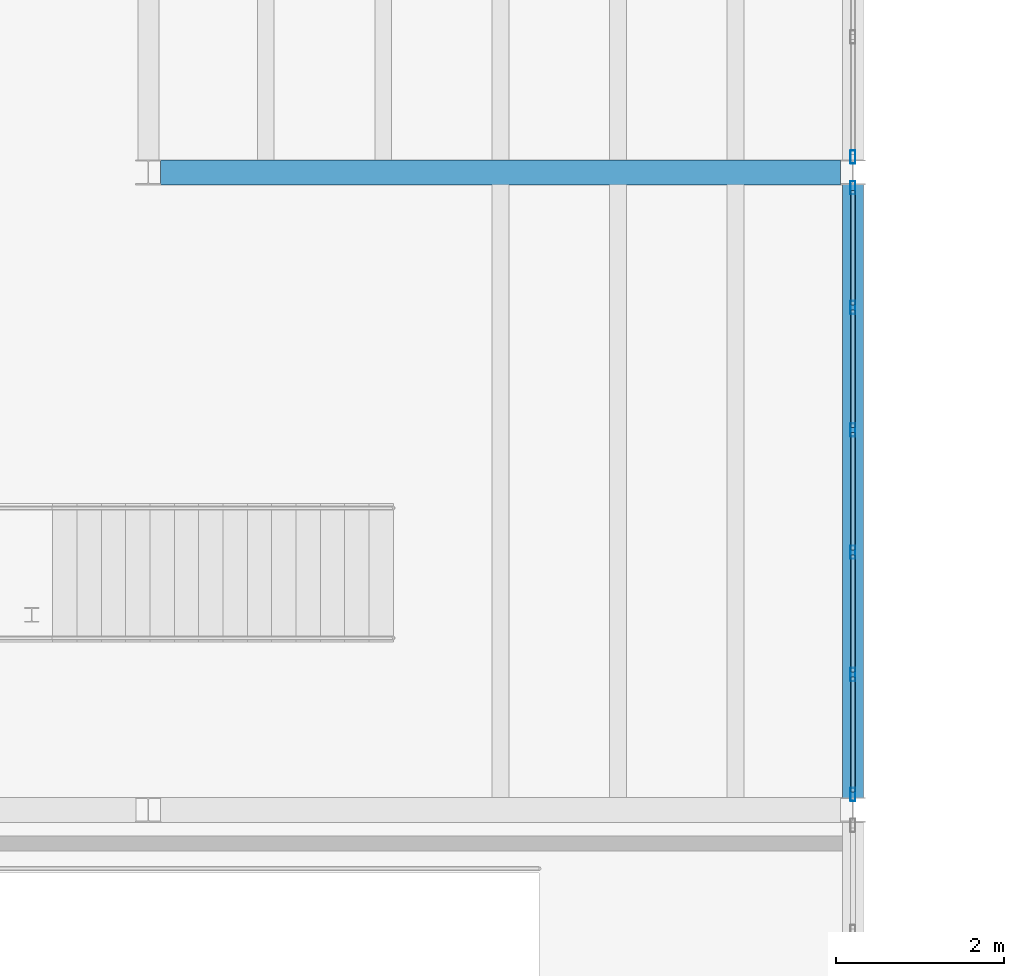
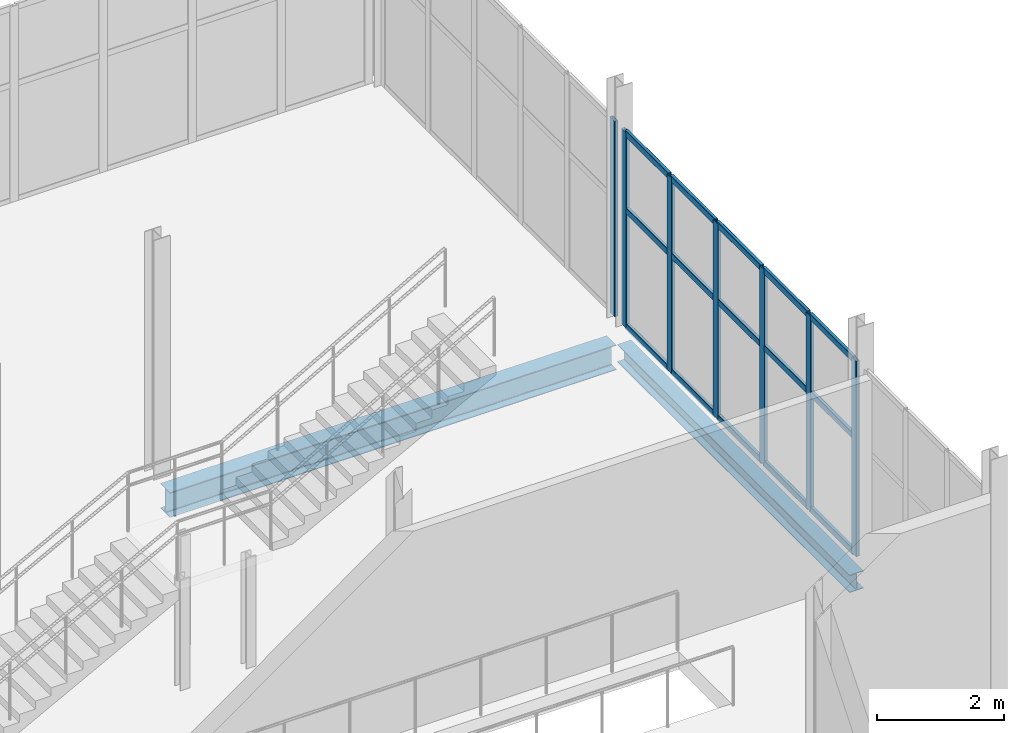
# One storey, part 27 of 172: 22 members, 2 beams, 2 elements without a shape of their own.
"""IFC4 building model written with IfcOpenShell, lengths in metres."""

from ifc_helpers import new_model, si_unit, direction, frame, origin, origin_2d, place, context, subcontext, project, spatial, hollow_rectangle, i_section, extrude, material, material_profile, profile_set, type_object, element, aggregate, save


model = new_model("IFC4")

# Units and contexts
model_context = context("Model", 3, precision=1e-05, world=origin(), true_north=direction((0.0, 1.0)))
body_context = subcontext(model_context, "Body", "Model", "MODEL_VIEW")
ifc_project = project(units=[si_unit("LENGTHUNIT", "METRE"), si_unit("AREAUNIT", "SQUARE_METRE"), si_unit("VOLUMEUNIT", "CUBIC_METRE"), si_unit("PLANEANGLEUNIT", "RADIAN"), si_unit("MASSUNIT", "GRAM", prefix="KILO")], contexts=[model_context])

# Site, building, storey
site_placement = place(None, origin())
site = spatial("IfcSite", under=ifc_project, at=site_placement, CompositionType="ELEMENT")
building_placement = place(site_placement, origin())
building = spatial("IfcBuilding", under=site, at=building_placement, Name="Shengluoqiao Park Theatre", CompositionType="ELEMENT")
storey_placement = place(building_placement, frame((0.0, 0.0, 5.39990234375)))
storey = spatial("IfcBuildingStorey", under=building, at=storey_placement, Name="L01", CompositionType="ELEMENT", Elevation=5.39990234375)

# Curtain wall, members
ifc_material_1 = material(Name="Aluminium 6063-T6", Category="aluminium")
curtain_wall_type = type_object("IfcCurtainWallType", Name="ENV-CW-COURT", PredefinedType="NOTDEFINED", material=ifc_material_1)
curtain_wall_1_placement = place(storey_placement, origin())
curtain_wall_1 = element("IfcCurtainWall", 1, at=curtain_wall_1_placement, inside=storey, type_object=curtain_wall_type, Name="L01 Curtain Wall CWX-L01-0156", PredefinedType="NOTDEFINED")
ifc_material_profile_1 = material_profile(ifc_material_1, hollow_rectangle(XDim=0.06005859375, YDim=0.159912109375, WallThickness=0.00390625, InnerFilletRadius=0.00390625, OuterFilletRadius=0.008056640625, at=origin_2d()), Name="ALU MULLION 160x60x4")
ifc_profile_set_1 = profile_set([ifc_material_profile_1], Name="Aluminium 6063-T6")
member_type_1 = type_object("IfcMemberType", Name="ENV-MUL-160", PredefinedType="MULLION", material=ifc_profile_set_1)
member_1_placement = place(storey_placement, frame((44.39990234375, 7.783935546875, 0.0), z_axis=(0.0, 0.0, 1.0), x_axis=(-1.0, 0.0, 0.0)))
member_1 = element("IfcMember", 2, at=member_1_placement, type_object=member_type_1, Name="CW-05 mullion 1", PredefinedType="MULLION", context=body_context, shape_type="SweptSolid", body=[
    extrude(hollow_rectangle(XDim=0.06005859375, YDim=0.159912109375, WallThickness=0.00390625, InnerFilletRadius=0.00390625, OuterFilletRadius=0.008056640625, at=origin_2d()), origin(), (0.0, 0.0, 1.0), 3.756103515625),
])
member_2_placement = place(storey_placement, frame((44.39990234375, 9.21240234375, 0.0), z_axis=(0.0, 0.0, 1.0), x_axis=(-1.0, 0.0, 0.0)))
member_2 = element("IfcMember", 3, at=member_2_placement, type_object=member_type_1, Name="CW-05 mullion 2", PredefinedType="MULLION", context=body_context, shape_type="SweptSolid", body=[
    extrude(hollow_rectangle(XDim=0.06005859375, YDim=0.159912109375, WallThickness=0.00390625, InnerFilletRadius=0.00390625, OuterFilletRadius=0.008056640625, at=origin_2d()), origin(), (0.0, 0.0, 1.0), 3.756103515625),
])
member_3_placement = place(storey_placement, frame((44.39990234375, 10.6708984375, 0.0), z_axis=(0.0, 0.0, 1.0), x_axis=(-1.0, 0.0, 0.0)))
member_3 = element("IfcMember", 4, at=member_3_placement, type_object=member_type_1, Name="CW-05 mullion 3", PredefinedType="MULLION", context=body_context, shape_type="SweptSolid", body=[
    extrude(hollow_rectangle(XDim=0.06005859375, YDim=0.159912109375, WallThickness=0.00390625, InnerFilletRadius=0.00390625, OuterFilletRadius=0.008056640625, at=origin_2d()), origin(), (0.0, 0.0, 1.0), 3.756103515625),
])
member_4_placement = place(storey_placement, frame((44.39990234375, 12.129150390625, 0.0), z_axis=(0.0, 0.0, 1.0), x_axis=(-1.0, 0.0, 0.0)))
member_4 = element("IfcMember", 5, at=member_4_placement, type_object=member_type_1, Name="CW-05 mullion 4", PredefinedType="MULLION", context=body_context, shape_type="SweptSolid", body=[
    extrude(hollow_rectangle(XDim=0.06005859375, YDim=0.159912109375, WallThickness=0.00390625, InnerFilletRadius=0.00390625, OuterFilletRadius=0.008056640625, at=origin_2d()), origin(), (0.0, 0.0, 1.0), 3.756103515625),
])
member_5_placement = place(storey_placement, frame((44.39990234375, 13.587646484375, 0.0), z_axis=(0.0, 0.0, 1.0), x_axis=(-1.0, 0.0, 0.0)))
member_5 = element("IfcMember", 6, at=member_5_placement, type_object=member_type_1, Name="CW-05 mullion 5", PredefinedType="MULLION", context=body_context, shape_type="SweptSolid", body=[
    extrude(hollow_rectangle(XDim=0.06005859375, YDim=0.159912109375, WallThickness=0.00390625, InnerFilletRadius=0.00390625, OuterFilletRadius=0.008056640625, at=origin_2d()), origin(), (0.0, 0.0, 1.0), 3.756103515625),
])
member_6_placement = place(storey_placement, frame((44.39990234375, 15.01611328125, 0.0), z_axis=(0.0, 0.0, 1.0), x_axis=(-1.0, 0.0, 0.0)))
member_6 = element("IfcMember", 7, at=member_6_placement, type_object=member_type_1, Name="CW-05 mullion 6", PredefinedType="MULLION", context=body_context, shape_type="SweptSolid", body=[
    extrude(hollow_rectangle(XDim=0.06005859375, YDim=0.159912109375, WallThickness=0.00390625, InnerFilletRadius=0.00390625, OuterFilletRadius=0.008056640625, at=origin_2d()), origin(), (0.0, 0.0, 1.0), 3.756103515625),
])

# Curtain wall, member
curtain_wall_2_placement = place(storey_placement, origin())
curtain_wall_2 = element("IfcCurtainWall", 8, at=curtain_wall_2_placement, inside=storey, type_object=curtain_wall_type, Name="L01 Curtain Wall CWX-L01-0157", PredefinedType="NOTDEFINED")
member_7_placement = place(storey_placement, frame((44.39990234375, 15.384033203125, 0.0), z_axis=(0.0, 0.0, 1.0), x_axis=(-1.0, 0.0, 0.0)))
member_7 = element("IfcMember", 9, at=member_7_placement, type_object=member_type_1, Name="CW-05 mullion 1", PredefinedType="MULLION", context=body_context, shape_type="SweptSolid", body=[
    extrude(hollow_rectangle(XDim=0.06005859375, YDim=0.159912109375, WallThickness=0.00390625, InnerFilletRadius=0.00390625, OuterFilletRadius=0.008056640625, at=origin_2d()), origin(), (0.0, 0.0, 1.0), 3.756103515625),
])
aggregate(curtain_wall_2, [member_7])

# Member
ifc_material_profile_2 = material_profile(ifc_material_1, hollow_rectangle(XDim=0.06005859375, YDim=0.1201171875, WallThickness=0.00390625, InnerFilletRadius=0.00390625, OuterFilletRadius=0.008056640625, at=origin_2d()), Name="ALU TRANSOM 120x60x4")
ifc_profile_set_2 = profile_set([ifc_material_profile_2], Name="Aluminium 6063-T6")
member_type_2 = type_object("IfcMemberType", Name="ENV-TRN-120", PredefinedType="USERDEFINED", material=ifc_profile_set_2)
member_8_placement = place(storey_placement, frame((44.39990234375, 7.81396484375, 0.030029296875), z_axis=(0.0, 1.0, 0.0), x_axis=(-1.0, 0.0, 0.0)))
member_8 = element("IfcMember", 10, at=member_8_placement, type_object=member_type_2, Name="CW-05 transom 1.1", ObjectType="TRANSOM", PredefinedType="USERDEFINED", context=body_context, shape_type="SweptSolid", body=[
    extrude(hollow_rectangle(XDim=0.06005859375, YDim=0.1201171875, WallThickness=0.00390625, InnerFilletRadius=0.00390625, OuterFilletRadius=0.008056640625, at=origin_2d()), origin(), (0.0, 0.0, 1.0), 1.368408203125),
])

member_9_placement = place(storey_placement, frame((44.39990234375, 7.81396484375, 2.254150390625), z_axis=(0.0, 1.0, 0.0), x_axis=(-1.0, 0.0, 0.0)))
member_9 = element("IfcMember", 11, at=member_9_placement, type_object=member_type_2, Name="CW-05 transom 1.2", ObjectType="TRANSOM", PredefinedType="USERDEFINED", context=body_context, shape_type="SweptSolid", body=[
    extrude(hollow_rectangle(XDim=0.06005859375, YDim=0.1201171875, WallThickness=0.00390625, InnerFilletRadius=0.00390625, OuterFilletRadius=0.008056640625, at=origin_2d()), origin(), (0.0, 0.0, 1.0), 1.368408203125),
])

member_10_placement = place(storey_placement, frame((44.39990234375, 7.81396484375, 3.72607421875), z_axis=(0.0, 1.0, 0.0), x_axis=(-1.0, 0.0, 0.0)))
member_10 = element("IfcMember", 12, at=member_10_placement, type_object=member_type_2, Name="CW-05 transom 1.3", ObjectType="TRANSOM", PredefinedType="USERDEFINED", context=body_context, shape_type="SweptSolid", body=[
    extrude(hollow_rectangle(XDim=0.06005859375, YDim=0.1201171875, WallThickness=0.00390625, InnerFilletRadius=0.00390625, OuterFilletRadius=0.008056640625, at=origin_2d()), origin(), (0.0, 0.0, 1.0), 1.368408203125),
])

member_11_placement = place(storey_placement, frame((44.39990234375, 9.242431640625, 0.030029296875), z_axis=(0.0, 1.0, 0.0), x_axis=(-1.0, 0.0, 0.0)))
member_11 = element("IfcMember", 13, at=member_11_placement, type_object=member_type_2, Name="CW-05 transom 2.1", ObjectType="TRANSOM", PredefinedType="USERDEFINED", context=body_context, shape_type="SweptSolid", body=[
    extrude(hollow_rectangle(XDim=0.06005859375, YDim=0.1201171875, WallThickness=0.00390625, InnerFilletRadius=0.00390625, OuterFilletRadius=0.008056640625, at=origin_2d()), origin(), (0.0, 0.0, 1.0), 1.3984375),
])

member_12_placement = place(storey_placement, frame((44.39990234375, 9.242431640625, 2.254150390625), z_axis=(0.0, 1.0, 0.0), x_axis=(-1.0, 0.0, 0.0)))
member_12 = element("IfcMember", 14, at=member_12_placement, type_object=member_type_2, Name="CW-05 transom 2.2", ObjectType="TRANSOM", PredefinedType="USERDEFINED", context=body_context, shape_type="SweptSolid", body=[
    extrude(hollow_rectangle(XDim=0.06005859375, YDim=0.1201171875, WallThickness=0.00390625, InnerFilletRadius=0.00390625, OuterFilletRadius=0.008056640625, at=origin_2d()), origin(), (0.0, 0.0, 1.0), 1.3984375),
])

member_13_placement = place(storey_placement, frame((44.39990234375, 9.242431640625, 3.72607421875), z_axis=(0.0, 1.0, 0.0), x_axis=(-1.0, 0.0, 0.0)))
member_13 = element("IfcMember", 15, at=member_13_placement, type_object=member_type_2, Name="CW-05 transom 2.3", ObjectType="TRANSOM", PredefinedType="USERDEFINED", context=body_context, shape_type="SweptSolid", body=[
    extrude(hollow_rectangle(XDim=0.06005859375, YDim=0.1201171875, WallThickness=0.00390625, InnerFilletRadius=0.00390625, OuterFilletRadius=0.008056640625, at=origin_2d()), origin(), (0.0, 0.0, 1.0), 1.3984375),
])

member_14_placement = place(storey_placement, frame((44.39990234375, 10.70068359375, 0.030029296875), z_axis=(0.0, 1.0, 0.0), x_axis=(-1.0, 0.0, 0.0)))
member_14 = element("IfcMember", 16, at=member_14_placement, type_object=member_type_2, Name="CW-05 transom 3.1", ObjectType="TRANSOM", PredefinedType="USERDEFINED", context=body_context, shape_type="SweptSolid", body=[
    extrude(hollow_rectangle(XDim=0.06005859375, YDim=0.1201171875, WallThickness=0.00390625, InnerFilletRadius=0.00390625, OuterFilletRadius=0.008056640625, at=origin_2d()), origin(), (0.0, 0.0, 1.0), 1.3984375),
])

member_15_placement = place(storey_placement, frame((44.39990234375, 10.70068359375, 2.254150390625), z_axis=(0.0, 1.0, 0.0), x_axis=(-1.0, 0.0, 0.0)))
member_15 = element("IfcMember", 17, at=member_15_placement, type_object=member_type_2, Name="CW-05 transom 3.2", ObjectType="TRANSOM", PredefinedType="USERDEFINED", context=body_context, shape_type="SweptSolid", body=[
    extrude(hollow_rectangle(XDim=0.06005859375, YDim=0.1201171875, WallThickness=0.00390625, InnerFilletRadius=0.00390625, OuterFilletRadius=0.008056640625, at=origin_2d()), origin(), (0.0, 0.0, 1.0), 1.3984375),
])

member_16_placement = place(storey_placement, frame((44.39990234375, 10.70068359375, 3.72607421875), z_axis=(0.0, 1.0, 0.0), x_axis=(-1.0, 0.0, 0.0)))
member_16 = element("IfcMember", 18, at=member_16_placement, type_object=member_type_2, Name="CW-05 transom 3.3", ObjectType="TRANSOM", PredefinedType="USERDEFINED", context=body_context, shape_type="SweptSolid", body=[
    extrude(hollow_rectangle(XDim=0.06005859375, YDim=0.1201171875, WallThickness=0.00390625, InnerFilletRadius=0.00390625, OuterFilletRadius=0.008056640625, at=origin_2d()), origin(), (0.0, 0.0, 1.0), 1.3984375),
])

member_17_placement = place(storey_placement, frame((44.39990234375, 12.1591796875, 0.030029296875), z_axis=(0.0, 1.0, 0.0), x_axis=(-1.0, 0.0, 0.0)))
member_17 = element("IfcMember", 19, at=member_17_placement, type_object=member_type_2, Name="CW-05 transom 4.1", ObjectType="TRANSOM", PredefinedType="USERDEFINED", context=body_context, shape_type="SweptSolid", body=[
    extrude(hollow_rectangle(XDim=0.06005859375, YDim=0.1201171875, WallThickness=0.00390625, InnerFilletRadius=0.00390625, OuterFilletRadius=0.008056640625, at=origin_2d()), origin(), (0.0, 0.0, 1.0), 1.3984375),
])

member_18_placement = place(storey_placement, frame((44.39990234375, 12.1591796875, 2.254150390625), z_axis=(0.0, 1.0, 0.0), x_axis=(-1.0, 0.0, 0.0)))
member_18 = element("IfcMember", 20, at=member_18_placement, type_object=member_type_2, Name="CW-05 transom 4.2", ObjectType="TRANSOM", PredefinedType="USERDEFINED", context=body_context, shape_type="SweptSolid", body=[
    extrude(hollow_rectangle(XDim=0.06005859375, YDim=0.1201171875, WallThickness=0.00390625, InnerFilletRadius=0.00390625, OuterFilletRadius=0.008056640625, at=origin_2d()), origin(), (0.0, 0.0, 1.0), 1.3984375),
])

member_19_placement = place(storey_placement, frame((44.39990234375, 12.1591796875, 3.72607421875), z_axis=(0.0, 1.0, 0.0), x_axis=(-1.0, 0.0, 0.0)))
member_19 = element("IfcMember", 21, at=member_19_placement, type_object=member_type_2, Name="CW-05 transom 4.3", ObjectType="TRANSOM", PredefinedType="USERDEFINED", context=body_context, shape_type="SweptSolid", body=[
    extrude(hollow_rectangle(XDim=0.06005859375, YDim=0.1201171875, WallThickness=0.00390625, InnerFilletRadius=0.00390625, OuterFilletRadius=0.008056640625, at=origin_2d()), origin(), (0.0, 0.0, 1.0), 1.3984375),
])

member_20_placement = place(storey_placement, frame((44.39990234375, 13.61767578125, 0.030029296875), z_axis=(0.0, 1.0, 0.0), x_axis=(-1.0, 0.0, 0.0)))
member_20 = element("IfcMember", 22, at=member_20_placement, type_object=member_type_2, Name="CW-05 transom 5.1", ObjectType="TRANSOM", PredefinedType="USERDEFINED", context=body_context, shape_type="SweptSolid", body=[
    extrude(hollow_rectangle(XDim=0.06005859375, YDim=0.1201171875, WallThickness=0.00390625, InnerFilletRadius=0.00390625, OuterFilletRadius=0.008056640625, at=origin_2d()), origin(), (0.0, 0.0, 1.0), 1.368408203125),
])

member_21_placement = place(storey_placement, frame((44.39990234375, 13.61767578125, 2.254150390625), z_axis=(0.0, 1.0, 0.0), x_axis=(-1.0, 0.0, 0.0)))
member_21 = element("IfcMember", 23, at=member_21_placement, type_object=member_type_2, Name="CW-05 transom 5.2", ObjectType="TRANSOM", PredefinedType="USERDEFINED", context=body_context, shape_type="SweptSolid", body=[
    extrude(hollow_rectangle(XDim=0.06005859375, YDim=0.1201171875, WallThickness=0.00390625, InnerFilletRadius=0.00390625, OuterFilletRadius=0.008056640625, at=origin_2d()), origin(), (0.0, 0.0, 1.0), 1.368408203125),
])

member_22_placement = place(storey_placement, frame((44.39990234375, 13.61767578125, 3.72607421875), z_axis=(0.0, 1.0, 0.0), x_axis=(-1.0, 0.0, 0.0)))
member_22 = element("IfcMember", 24, at=member_22_placement, type_object=member_type_2, Name="CW-05 transom 5.3", ObjectType="TRANSOM", PredefinedType="USERDEFINED", context=body_context, shape_type="SweptSolid", body=[
    extrude(hollow_rectangle(XDim=0.06005859375, YDim=0.1201171875, WallThickness=0.00390625, InnerFilletRadius=0.00390625, OuterFilletRadius=0.008056640625, at=origin_2d()), origin(), (0.0, 0.0, 1.0), 1.368408203125),
])

aggregate(curtain_wall_1, [member_1, member_2, member_3, member_4, member_5, member_6, member_8, member_9, member_10, member_11, member_12, member_13, member_14, member_15, member_16, member_17, member_18, member_19, member_20, member_21, member_22])

# Beams
ifc_material_2 = material(Name="Steel Q355", Category="steel")
ifc_material_profile_3 = material_profile(ifc_material_2, i_section(OverallWidth=0.25, OverallDepth=0.340087890625, WebThickness=0.009033203125, FlangeThickness=0.013916015625, FilletRadius=0.01611328125, at=origin_2d()), Name="HM 340x250x9x14")
ifc_profile_set_3 = profile_set([ifc_material_profile_3], Name="Steel Q355")
beam_type_1 = type_object("IfcBeamType", Name="STR-BM-G-HM340", PredefinedType="BEAM", material=ifc_profile_set_3)
beam_1_placement = place(storey_placement, frame((44.39990234375, 7.743896484375, -0.510009765625), z_axis=(0.0, 1.0, 0.0), x_axis=(-1.0, 0.0, 0.0)))
element("IfcBeam", 25, at=beam_1_placement, inside=storey, type_object=beam_type_1, Name="L01 Transverse Girder 00434", PredefinedType="BEAM", context=body_context, shape_type="SweptSolid", body=[
    extrude(i_section(OverallWidth=0.25, OverallDepth=0.340087890625, WebThickness=0.009033203125, FlangeThickness=0.013916015625, FilletRadius=0.01611328125, at=origin_2d()), origin(), (0.0, 0.0, 1.0), 7.31201171875),
])
ifc_material_profile_4 = material_profile(ifc_material_2, i_section(OverallWidth=0.300048828125, OverallDepth=0.48193359375, WebThickness=0.010986328125, FlangeThickness=0.014892578125, FilletRadius=0.02197265625, at=origin_2d()), Name="HM 482x300x11x15")
ifc_profile_set_4 = profile_set([ifc_material_profile_4], Name="Steel Q355")
beam_type_2 = type_object("IfcBeamType", Name="STR-BM-G-HM482", PredefinedType="BEAM", material=ifc_profile_set_4)
beam_2_placement = place(storey_placement, frame((36.146484375, 15.199951171875, -0.580810546875), z_axis=(1.0, 0.0, 0.0), x_axis=(0.0, 1.0, 0.0)))
element("IfcBeam", 26, at=beam_2_placement, inside=storey, type_object=beam_type_2, Name="L01 Primary Girder 00429", PredefinedType="BEAM", context=body_context, shape_type="SweptSolid", body=[
    extrude(i_section(OverallWidth=0.300048828125, OverallDepth=0.48193359375, WebThickness=0.010986328125, FlangeThickness=0.014892578125, FilletRadius=0.02197265625, at=origin_2d()), origin(), (0.0, 0.0, 1.0), 8.10693359375),
])

save(model, "model.ifc")
